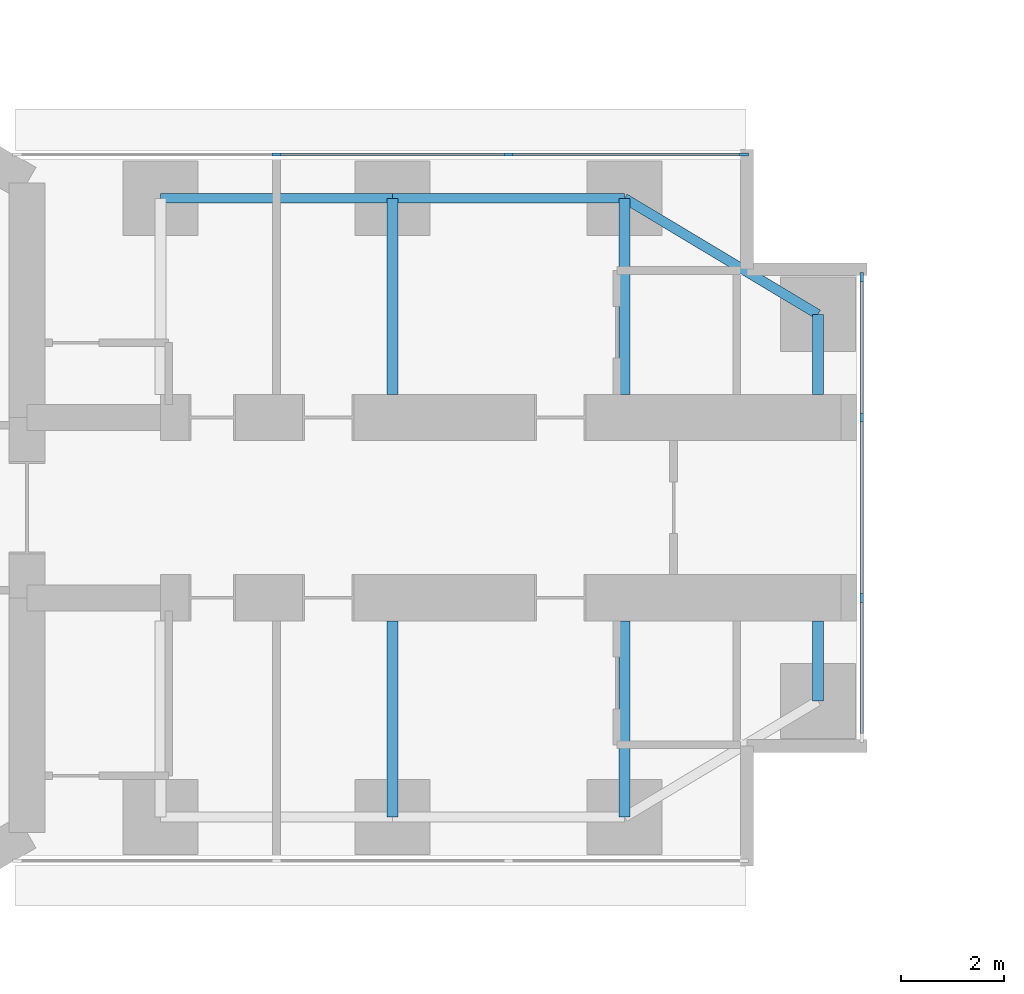
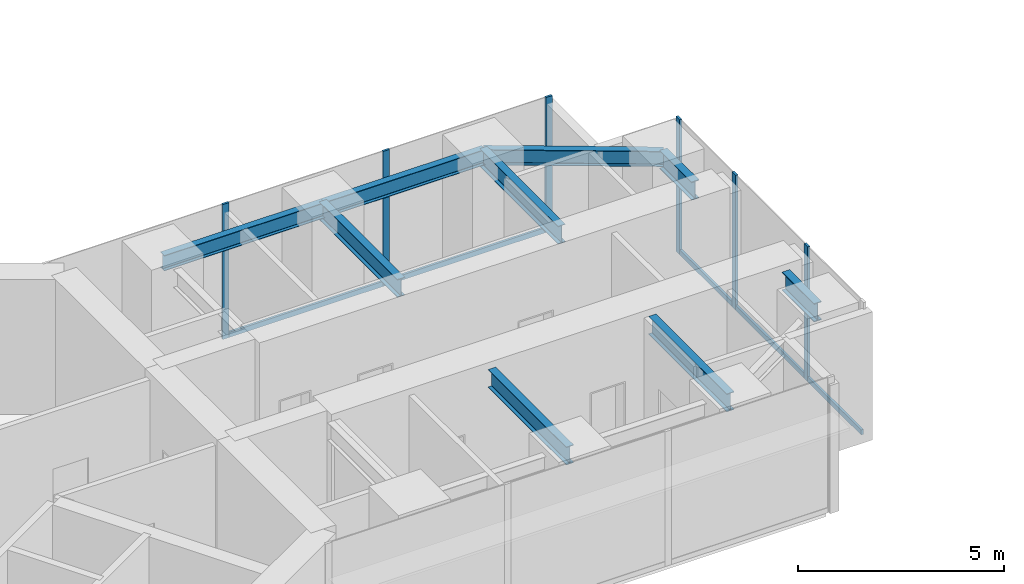
# One storey, part 8 of 24: 11 members, 9 beams, 2 elements without a shape of their own.
"""IFC4 building model written with IfcOpenShell, lengths in metres."""

import ifcopenshell
import ifcopenshell.guid

model = None  # the IFC model being written
_history = None  # IfcOwnerHistory: only IFC2X3 demands one
_inside = {}  # id of a spatial element -> (the spatial element, [elements in it])
_under = {}  # id of a project, library or spatial element -> (it, [spatial elements below it])
_declared = {}  # id of a project -> (the project, [libraries it declares])
_typed = {}  # id of a type object -> (the type object, [elements of that type])
_made_of = {}  # id of a material, layer set ... -> (it, [elements and type objects made of it])


def new_model(schema):
    """Start an empty IFC model of exactly this schema.

    Asked for "IFC4X3", IfcOpenShell would pick the latest addendum, in which some entities
    have other attributes; the version numbers below select the first issue.
    IFC2X3 requires an IfcOwnerHistory on every rooted entity: one is made here for all.
    """
    global model, _history
    if schema == "IFC4X3":
        model = ifcopenshell.file(schema_version=(4, 3, 0, 0))
    else:
        model = ifcopenshell.file(schema=schema)
    _inside.clear()
    _under.clear()
    _declared.clear()
    _typed.clear()
    _made_of.clear()
    _history = None
    if model.schema == "IFC2X3":
        org = make("IfcOrganization", Name="unknown")
        user = make(
            "IfcPersonAndOrganization",
            ThePerson=make("IfcPerson", FamilyName="unknown"),
            TheOrganization=org,
        )
        app = make(
            "IfcApplication",
            ApplicationDeveloper=org,
            Version="unknown",
            ApplicationFullName="unknown",
            ApplicationIdentifier="unknown",
        )
        _history = make(
            "IfcOwnerHistory",
            OwningUser=user,
            OwningApplication=app,
            ChangeAction="ADDED",
            CreationDate=0,
        )
    return model


def make(cls, **values):
    """One entity of the class cls with the attributes given. An attribute that is None is left unset."""
    return model.create_entity(
        cls, **{name: value for name, value in values.items() if value is not None}
    )


def rooted(cls, **values):
    """An entity with a GlobalId (a new one), such as an element, a storey or a relation."""
    return make(cls, GlobalId=ifcopenshell.guid.new(), OwnerHistory=_history, **values)


def si_unit(unit_type, name, prefix=None):
    """IfcSIUnit, for example si_unit("LENGTHUNIT", "METRE", prefix="MILLI")."""
    return make("IfcSIUnit", UnitType=unit_type, Prefix=prefix, Name=name)


def assignment(units):
    """IfcUnitAssignment: the units of a project."""
    return None if units is None else make("IfcUnitAssignment", Units=units)


def point(xyz):
    """IfcCartesianPoint."""
    return None if xyz is None else make("IfcCartesianPoint", Coordinates=xyz)


def direction(xyz):
    """IfcDirection."""
    return None if xyz is None else make("IfcDirection", DirectionRatios=xyz)


def frame(location, z_axis=None, x_axis=None):
    """IfcAxis2Placement3D, a coordinate frame: its origin and axes. An axis left out is left unset."""
    return make(
        "IfcAxis2Placement3D",
        Location=point(location),
        Axis=direction(z_axis),
        RefDirection=direction(x_axis),
    )


def frame_2d(location, x_axis=None):
    """IfcAxis2Placement2D, a coordinate frame in the plane: its origin and x axis."""
    return make(
        "IfcAxis2Placement2D", Location=point(location), RefDirection=direction(x_axis)
    )


def origin():
    """The frame at (0, 0, 0) with its axes left unset."""
    return frame((0.0, 0.0, 0.0))


def origin_2d():
    """The frame at (0, 0) in the plane with its x axis left unset."""
    return frame_2d((0.0, 0.0))


def place(relative_to, where):
    """IfcLocalPlacement: puts the frame where relative to a parent placement (None: the world)."""
    return make(
        "IfcLocalPlacement", PlacementRelTo=relative_to, RelativePlacement=where
    )


def context(
    kind, dimensions, precision=None, world=None, true_north=None, identifier=None
):
    """IfcGeometricRepresentationContext, for example the 3D "Model" context."""
    return make(
        "IfcGeometricRepresentationContext",
        ContextIdentifier=identifier,
        ContextType=kind,
        CoordinateSpaceDimension=dimensions,
        Precision=precision,
        WorldCoordinateSystem=world,
        TrueNorth=true_north,
    )


def subcontext(parent, identifier, kind, view, scale=None):
    """IfcGeometricRepresentationSubContext, for example "Body" below "Model"."""
    return make(
        "IfcGeometricRepresentationSubContext",
        ContextIdentifier=identifier,
        ContextType=kind,
        ParentContext=parent,
        TargetScale=scale,
        TargetView=view,
    )


def project(units=None, contexts=None):
    """IfcProject with its units and contexts."""
    return rooted(
        "IfcProject",
        Name="project",
        RepresentationContexts=contexts,
        UnitsInContext=assignment(units),
    )


def spatial(cls, under=None, at=None, **own):
    """A site, building, storey or space (cls), placed at a placement, below another one or the project."""
    s = rooted(cls, ObjectPlacement=at, **own)
    if under is not None:
        _under.setdefault(under.id(), (under, []))[1].append(s)
    return s


def profile(cls, at=None, kind="AREA", **sizes):
    """A parametric profile (cls). Its sizes go by their IFC names, for example OverallWidth=200.0."""
    return make(cls, ProfileType=kind, Position=at, **sizes)


def rectangle(**sizes):
    """IfcRectangleProfileDef."""
    return profile("IfcRectangleProfileDef", **sizes)


def i_section(**sizes):
    """IfcIShapeProfileDef."""
    return profile("IfcIShapeProfileDef", **sizes)


def extrude(swept, where, along, depth):
    """IfcExtrudedAreaSolid: the profile swept, set in the frame where, extruded along a direction by depth."""
    return make(
        "IfcExtrudedAreaSolid",
        SweptArea=swept,
        Position=where,
        ExtrudedDirection=direction(along),
        Depth=depth,
    )


def shape(context_of_items, identifier, shape_type, items):
    """IfcShapeRepresentation: the items that make up one representation, for example the "Body"."""
    return make(
        "IfcShapeRepresentation",
        ContextOfItems=context_of_items,
        RepresentationIdentifier=identifier,
        RepresentationType=shape_type,
        Items=items,
    )


def material(Name=None, Category=None):
    """IfcMaterial."""
    return make("IfcMaterial", Name=Name, Category=Category)


def material_profile(
    of_material, cross_section, Name=None, Category=None, Priority=None
):
    """IfcMaterialProfile: a cross section and its material."""
    return make(
        "IfcMaterialProfile",
        Name=Name,
        Material=of_material,
        Profile=cross_section,
        Priority=Priority,
        Category=Category,
    )


def profile_set(profiles, Name=None, composite=None):
    """IfcMaterialProfileSet."""
    return make(
        "IfcMaterialProfileSet",
        Name=Name,
        MaterialProfiles=profiles,
        CompositeProfile=composite,
    )


def made_of(thing, what):
    """Note that an element or type object is made of a material, layer set ...; save() writes the relation."""
    if what is not None:
        _made_of.setdefault(what.id(), (what, []))[1].append(thing)
    return thing


def type_object(cls, material=None, **own):
    """A type object (cls), such as IfcWallType, which elements share."""
    return made_of(rooted(cls, **own), material)


def element(
    cls,
    number,
    at=None,
    inside=None,
    cuts=None,
    type_object=None,
    material=None,
    context=None,
    identifier="Body",
    shape_type=None,
    held_by="IfcProductDefinitionShape",
    body=None,
    shapes=None,
    **own,
):
    """One element of the class cls, such as IfcWall. Its Tag is "e" and its number.

    at: its placement. inside: the storey or other place that contains it. cuts: it is an
    opening in that element (IfcRelVoidsElement). A single representation is given by context,
    identifier, shape_type and body (its items); several are given by shapes. held_by: the class
    of the entity that holds the representations. save() writes the other relations.
    """
    e = rooted(cls, Tag="e%d" % number, ObjectPlacement=at, **own)
    if body is not None:
        shapes = [shape(context, identifier, shape_type, body)]
    if shapes is not None:
        e.Representation = make(held_by, Representations=shapes)
    if inside is not None:
        _inside.setdefault(inside.id(), (inside, []))[1].append(e)
    if cuts is not None:
        rooted(
            "IfcRelVoidsElement", RelatingBuildingElement=cuts, RelatedOpeningElement=e
        )
    if type_object is not None:
        _typed.setdefault(type_object.id(), (type_object, []))[1].append(e)
    return made_of(e, material)


def aggregate(whole, parts):
    """IfcRelAggregates: a whole, such as a stair, and the parts it consists of."""
    return rooted("IfcRelAggregates", RelatingObject=whole, RelatedObjects=parts)


def save(model, path):
    """Write the relations noted so far, then the file.

    IfcRelAggregates (storeys below a building ...), IfcRelContainedInSpatialStructure (elements
    in a storey), IfcRelDefinesByType, IfcRelAssociatesMaterial and IfcRelDeclares: one each for
    every whole, place, type object, material and project.
    """
    for whole, parts in _under.values():
        aggregate(whole, parts)
    for where, things in _inside.values():
        rooted(
            "IfcRelContainedInSpatialStructure",
            RelatedElements=things,
            RelatingStructure=where,
        )
    for kind, things in _typed.values():
        rooted("IfcRelDefinesByType", RelatedObjects=things, RelatingType=kind)
    for what, things in _made_of.values():
        rooted("IfcRelAssociatesMaterial", RelatedObjects=things, RelatingMaterial=what)
    for by, libraries in _declared.values():
        rooted("IfcRelDeclares", RelatingContext=by, RelatedDefinitions=libraries)
    model.write(path)


model = new_model("IFC4")

# Units and contexts
model_context = context("Model", 3, precision=1e-05, world=origin(), true_north=direction((0.0, 1.0)))
body_context = subcontext(model_context, "Body", "Model", "MODEL_VIEW")
ifc_project = project(units=[si_unit("LENGTHUNIT", "METRE"), si_unit("AREAUNIT", "SQUARE_METRE"), si_unit("VOLUMEUNIT", "CUBIC_METRE"), si_unit("PLANEANGLEUNIT", "RADIAN"), si_unit("MASSUNIT", "GRAM", prefix="KILO")], contexts=[model_context])

# Site, building, storey
site_placement = place(None, origin())
site = spatial("IfcSite", under=ifc_project, at=site_placement, CompositionType="ELEMENT")
building_placement = place(site_placement, origin())
building = spatial("IfcBuilding", under=site, at=building_placement, Name="Upepo Twin Towers", CompositionType="ELEMENT")
storey_placement = place(building_placement, frame((0.0, 0.0, 48.5)))
storey = spatial("IfcBuildingStorey", under=building, at=storey_placement, Name="L11", CompositionType="ELEMENT", Elevation=48.5)

# Beams
ifc_material_1 = material(Name="Steel S355", Category="steel")
ifc_material_profile_1 = material_profile(ifc_material_1, i_section(OverallWidth=0.1904296875, OverallDepth=0.45703125, WebThickness=0.009033203125, FlangeThickness=0.014404296875, FilletRadius=0.01025390625, at=origin_2d()), Name="UB 457x191x74")
ifc_profile_set_1 = profile_set([ifc_material_profile_1], Name="Steel S355")
beam_type_1 = type_object("IfcBeamType", Name="Beam UB 457x191x74", PredefinedType="BEAM", material=ifc_profile_set_1)
for number, where, z_axis, x_axis, name in (
    (1, (13.5, 6.0, 3.571533203125), (1.0, 0.0, 0.0), (0.0, 1.0, 0.0), "T1 edge beam AL 13.5-18.0"),
    (2, (18.0, 6.0, 3.571533203125), (1.0, 0.0, 0.0), (0.0, 1.0, 0.0), "T1 edge beam AL 18.0-22.5"),
):
    element("IfcBeam", number, at=place(storey_placement, frame(where, z_axis=z_axis, x_axis=x_axis)), inside=storey, type_object=beam_type_1, Name=name, PredefinedType="BEAM", context=body_context, shape_type="SweptSolid", body=[
        extrude(i_section(OverallWidth=0.1904296875, OverallDepth=0.45703125, WebThickness=0.009033203125, FlangeThickness=0.014404296875, FilletRadius=0.01025390625, at=origin_2d()), origin(), (0.0, 0.0, 1.0), 4.5),
    ])
beam_placement = place(storey_placement, frame((22.5, 6.0, 3.571533203125), z_axis=(0.857492925713, -0.514495755428, 0.0), x_axis=(0.514495755428, 0.857492925713, 0.0)))
element("IfcBeam", 3, at=beam_placement, inside=storey, type_object=beam_type_1, Name="T1 nose edge beam AL", PredefinedType="BEAM", context=body_context, shape_type="SweptSolid", body=[
    extrude(i_section(OverallWidth=0.1904296875, OverallDepth=0.45703125, WebThickness=0.009033203125, FlangeThickness=0.014404296875, FilletRadius=0.01025390625, at=origin_2d()), origin(), (0.0, 0.0, 1.0), 4.373291015625),
])
ifc_material_2 = material(Name="Steel S355", Category="steel")
ifc_material_profile_2 = material_profile(ifc_material_2, i_section(OverallWidth=0.2119140625, OverallDepth=0.54443359375, WebThickness=0.0126953125, FlangeThickness=0.021240234375, FilletRadius=0.0126953125, at=origin_2d()), Name="UB 533x210x122")
ifc_profile_set_2 = profile_set([ifc_material_profile_2], Name="Steel S355")
beam_type_2 = type_object("IfcBeamType", Name="Beam UB 533x210x122", PredefinedType="BEAM", material=ifc_profile_set_2)
for number, where, z_axis, x_axis, name in (
    (4, (26.25, 3.75, 3.52783203125), (0.0, -1.0, 0.0), (1.0, 0.0, 0.0), "T1 nose beam AL"),
    (5, (26.25, -3.75, 3.52783203125), (0.0, 1.0, 0.0), (-1.0, 0.0, 0.0), "T1 nose beam AR"),
):
    element("IfcBeam", number, at=place(storey_placement, frame(where, z_axis=z_axis, x_axis=x_axis)), inside=storey, type_object=beam_type_2, Name=name, PredefinedType="BEAM", context=body_context, shape_type="SweptSolid", body=[
        extrude(i_section(OverallWidth=0.2119140625, OverallDepth=0.54443359375, WebThickness=0.0126953125, FlangeThickness=0.021240234375, FilletRadius=0.0126953125, at=origin_2d()), origin(), (0.0, 0.0, 1.0), 1.550048828125),
    ])
ifc_material_3 = material(Name="Steel S355", Category="steel")
ifc_material_profile_3 = material_profile(ifc_material_3, i_section(OverallWidth=0.209228515625, OverallDepth=0.533203125, WebThickness=0.010009765625, FlangeThickness=0.015625, FilletRadius=0.0126953125, at=origin_2d()), Name="UB 533x210x92")
ifc_profile_set_3 = profile_set([ifc_material_profile_3], Name="Steel S355")
beam_type_3 = type_object("IfcBeamType", Name="Beam UB 533x210x92", PredefinedType="BEAM", material=ifc_profile_set_3)
for number, where, z_axis, x_axis, name in (
    (6, (18.0, 6.0, 3.533447265625), (0.0, -1.0, 0.0), (1.0, 0.0, 0.0), "T1 girder AL at 18.0"),
    (7, (22.5, 6.0, 3.533447265625), (0.0, -1.0, 0.0), (1.0, 0.0, 0.0), "T1 girder AL at 22.5"),
    (8, (18.0, -6.0, 3.533447265625), (0.0, 1.0, 0.0), (-1.0, 0.0, 0.0), "T1 girder AR at 18.0"),
    (9, (22.5, -6.0, 3.533447265625), (0.0, 1.0, 0.0), (-1.0, 0.0, 0.0), "T1 girder AR at 22.5"),
):
    element("IfcBeam", number, at=place(storey_placement, frame(where, z_axis=z_axis, x_axis=x_axis)), inside=storey, type_object=beam_type_3, Name=name, PredefinedType="BEAM", context=body_context, shape_type="SweptSolid", body=[
        extrude(i_section(OverallWidth=0.209228515625, OverallDepth=0.533203125, WebThickness=0.010009765625, FlangeThickness=0.015625, FilletRadius=0.0126953125, at=origin_2d()), origin(), (0.0, 0.0, 1.0), 3.800048828125),
    ])

# Curtain wall, members
ifc_material_4 = material(Name="Aluminium and fritted glass", Category="aluminium")
curtain_wall_type = type_object("IfcCurtainWallType", Name="Tower curtain wall TW1, fritted glass", PredefinedType="NOTDEFINED", material=ifc_material_4)
curtain_wall_1_placement = place(storey_placement, origin())
curtain_wall_1 = element("IfcCurtainWall", 10, at=curtain_wall_1_placement, inside=storey, type_object=curtain_wall_type, Name="T1 L11 wing A flank L curtain wall", PredefinedType="NOTDEFINED")
ifc_material_5 = material(Name="Aluminium mullion", Category="aluminium")
ifc_material_profile_4 = material_profile(ifc_material_5, rectangle(XDim=0.06494140625, YDim=0.179931640625, at=origin_2d()), Name="MULLION 65x180")
ifc_profile_set_4 = profile_set([ifc_material_profile_4], Name="Aluminium mullion")
member_type_1 = type_object("IfcMemberType", Name="Mullion 65x180 TW1", PredefinedType="MULLION", material=ifc_profile_set_4)
member_1_placement = place(storey_placement, frame((15.75, 6.85009765625, 0.0), z_axis=(0.0, 0.0, 1.0), x_axis=(0.0, 1.0, 0.0)))
member_1 = element("IfcMember", 11, at=member_1_placement, type_object=member_type_1, Name="T1 L11 wing A flank L curtain wall mullion 2", PredefinedType="MULLION", context=body_context, shape_type="SweptSolid", body=[
    extrude(rectangle(XDim=0.06494140625, YDim=0.179931640625, at=origin_2d()), origin(), (0.0, 0.0, 1.0), 4.0),
])
member_2_placement = place(storey_placement, frame((20.25, 6.85009765625, 0.0), z_axis=(0.0, 0.0, 1.0), x_axis=(0.0, 1.0, 0.0)))
member_2 = element("IfcMember", 12, at=member_2_placement, type_object=member_type_1, Name="T1 L11 wing A flank L curtain wall mullion 3", PredefinedType="MULLION", context=body_context, shape_type="SweptSolid", body=[
    extrude(rectangle(XDim=0.06494140625, YDim=0.179931640625, at=origin_2d()), origin(), (0.0, 0.0, 1.0), 4.0),
])
member_3_placement = place(storey_placement, frame((24.8173828125, 6.85009765625, 0.0), z_axis=(0.0, 0.0, 1.0), x_axis=(0.0, 1.0, 0.0)))
member_3 = element("IfcMember", 13, at=member_3_placement, type_object=member_type_1, Name="T1 L11 wing A flank L curtain wall mullion 4", PredefinedType="MULLION", context=body_context, shape_type="SweptSolid", body=[
    extrude(rectangle(XDim=0.06494140625, YDim=0.179931640625, at=origin_2d()), origin(), (0.0, 0.0, 1.0), 4.0),
])

curtain_wall_2_placement = place(storey_placement, origin())
curtain_wall_2 = element("IfcCurtainWall", 14, at=curtain_wall_2_placement, inside=storey, type_object=curtain_wall_type, Name="T1 L11 wing A nose curtain wall", PredefinedType="NOTDEFINED")
member_4_placement = place(storey_placement, frame((27.10009765625, -1.75, 0.0), z_axis=(0.0, 0.0, 1.0), x_axis=(-1.0, 0.0, 0.0)))
member_4 = element("IfcMember", 15, at=member_4_placement, type_object=member_type_1, Name="T1 L11 wing A nose curtain wall mullion 2", PredefinedType="MULLION", context=body_context, shape_type="SweptSolid", body=[
    extrude(rectangle(XDim=0.06494140625, YDim=0.179931640625, at=origin_2d()), origin(), (0.0, 0.0, 1.0), 4.0),
])
member_5_placement = place(storey_placement, frame((27.10009765625, 1.75, 0.0), z_axis=(0.0, 0.0, 1.0), x_axis=(-1.0, 0.0, 0.0)))
member_5 = element("IfcMember", 16, at=member_5_placement, type_object=member_type_1, Name="T1 L11 wing A nose curtain wall mullion 3", PredefinedType="MULLION", context=body_context, shape_type="SweptSolid", body=[
    extrude(rectangle(XDim=0.06494140625, YDim=0.179931640625, at=origin_2d()), origin(), (0.0, 0.0, 1.0), 4.0),
])
member_6_placement = place(storey_placement, frame((27.10009765625, 4.467529296875, 0.0), z_axis=(0.0, 0.0, 1.0), x_axis=(-1.0, 0.0, 0.0)))
member_6 = element("IfcMember", 17, at=member_6_placement, type_object=member_type_1, Name="T1 L11 wing A nose curtain wall mullion 4", PredefinedType="MULLION", context=body_context, shape_type="SweptSolid", body=[
    extrude(rectangle(XDim=0.06494140625, YDim=0.179931640625, at=origin_2d()), origin(), (0.0, 0.0, 1.0), 4.0),
])

# Member
ifc_material_6 = material(Name="Aluminium transom", Category="aluminium")
ifc_material_profile_5 = material_profile(ifc_material_6, rectangle(XDim=0.06494140625, YDim=0.14990234375, at=origin_2d()), Name="TRANSOM 65x150")
ifc_profile_set_5 = profile_set([ifc_material_profile_5], Name="Aluminium transom")
member_type_2 = type_object("IfcMemberType", Name="Transom 65x150 TW1", PredefinedType="USERDEFINED", material=ifc_profile_set_5)
member_7_placement = place(storey_placement, frame((15.782470703125, 6.85009765625, 0.074951171875), z_axis=(1.0, 0.0, 0.0), x_axis=(0.0, 1.0, 0.0)))
member_7 = element("IfcMember", 18, at=member_7_placement, type_object=member_type_2, Name="T1 L11 wing A flank L curtain wall transom 2", ObjectType="TRANSOM", PredefinedType="USERDEFINED", context=body_context, shape_type="SweptSolid", body=[
    extrude(rectangle(XDim=0.06494140625, YDim=0.14990234375, at=origin_2d()), origin(), (0.0, 0.0, 1.0), 4.43505859375),
])

member_8_placement = place(storey_placement, frame((20.282470703125, 6.85009765625, 0.074951171875), z_axis=(1.0, 0.0, 0.0), x_axis=(0.0, 1.0, 0.0)))
member_8 = element("IfcMember", 19, at=member_8_placement, type_object=member_type_2, Name="T1 L11 wing A flank L curtain wall transom 3", ObjectType="TRANSOM", PredefinedType="USERDEFINED", context=body_context, shape_type="SweptSolid", body=[
    extrude(rectangle(XDim=0.06494140625, YDim=0.14990234375, at=origin_2d()), origin(), (0.0, 0.0, 1.0), 4.50244140625),
])

aggregate(curtain_wall_1, [member_1, member_2, member_3, member_7, member_8])

member_9_placement = place(storey_placement, frame((27.10009765625, -4.43505859375, 0.074951171875), z_axis=(0.0, 1.0, 0.0), x_axis=(-1.0, 0.0, 0.0)))
member_9 = element("IfcMember", 20, at=member_9_placement, type_object=member_type_2, Name="T1 L11 wing A nose curtain wall transom 1", ObjectType="TRANSOM", PredefinedType="USERDEFINED", context=body_context, shape_type="SweptSolid", body=[
    extrude(rectangle(XDim=0.06494140625, YDim=0.14990234375, at=origin_2d()), origin(), (0.0, 0.0, 1.0), 2.652587890625),
])

member_10_placement = place(storey_placement, frame((27.10009765625, -1.717529296875, 0.074951171875), z_axis=(0.0, 1.0, 0.0), x_axis=(-1.0, 0.0, 0.0)))
member_10 = element("IfcMember", 21, at=member_10_placement, type_object=member_type_2, Name="T1 L11 wing A nose curtain wall transom 2", ObjectType="TRANSOM", PredefinedType="USERDEFINED", context=body_context, shape_type="SweptSolid", body=[
    extrude(rectangle(XDim=0.06494140625, YDim=0.14990234375, at=origin_2d()), origin(), (0.0, 0.0, 1.0), 3.43505859375),
])

member_11_placement = place(storey_placement, frame((27.10009765625, 1.782470703125, 0.074951171875), z_axis=(0.0, 1.0, 0.0), x_axis=(-1.0, 0.0, 0.0)))
member_11 = element("IfcMember", 22, at=member_11_placement, type_object=member_type_2, Name="T1 L11 wing A nose curtain wall transom 3", ObjectType="TRANSOM", PredefinedType="USERDEFINED", context=body_context, shape_type="SweptSolid", body=[
    extrude(rectangle(XDim=0.06494140625, YDim=0.14990234375, at=origin_2d()), origin(), (0.0, 0.0, 1.0), 2.652587890625),
])

aggregate(curtain_wall_2, [member_4, member_5, member_6, member_9, member_10, member_11])

save(model, "model.ifc")
